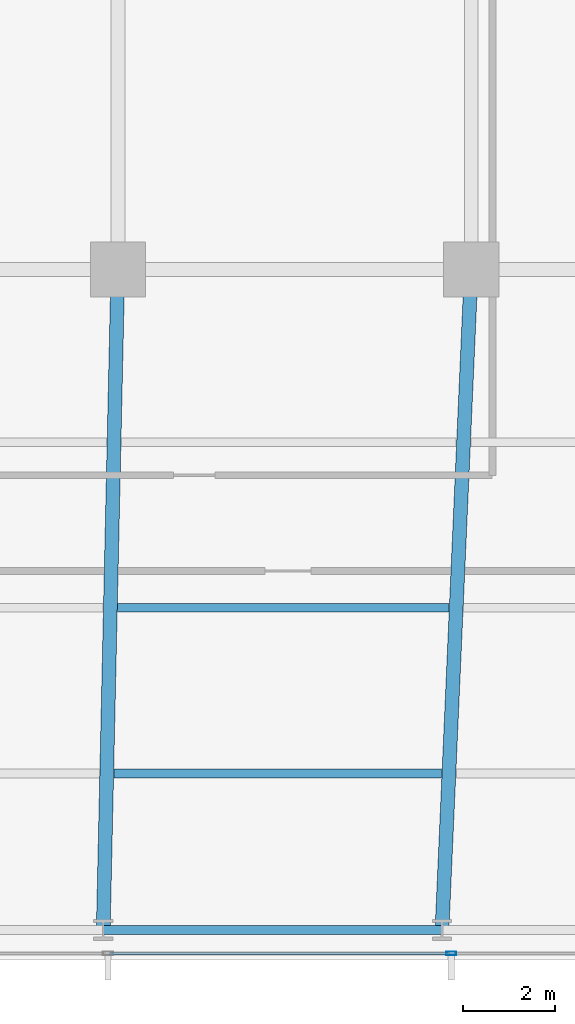
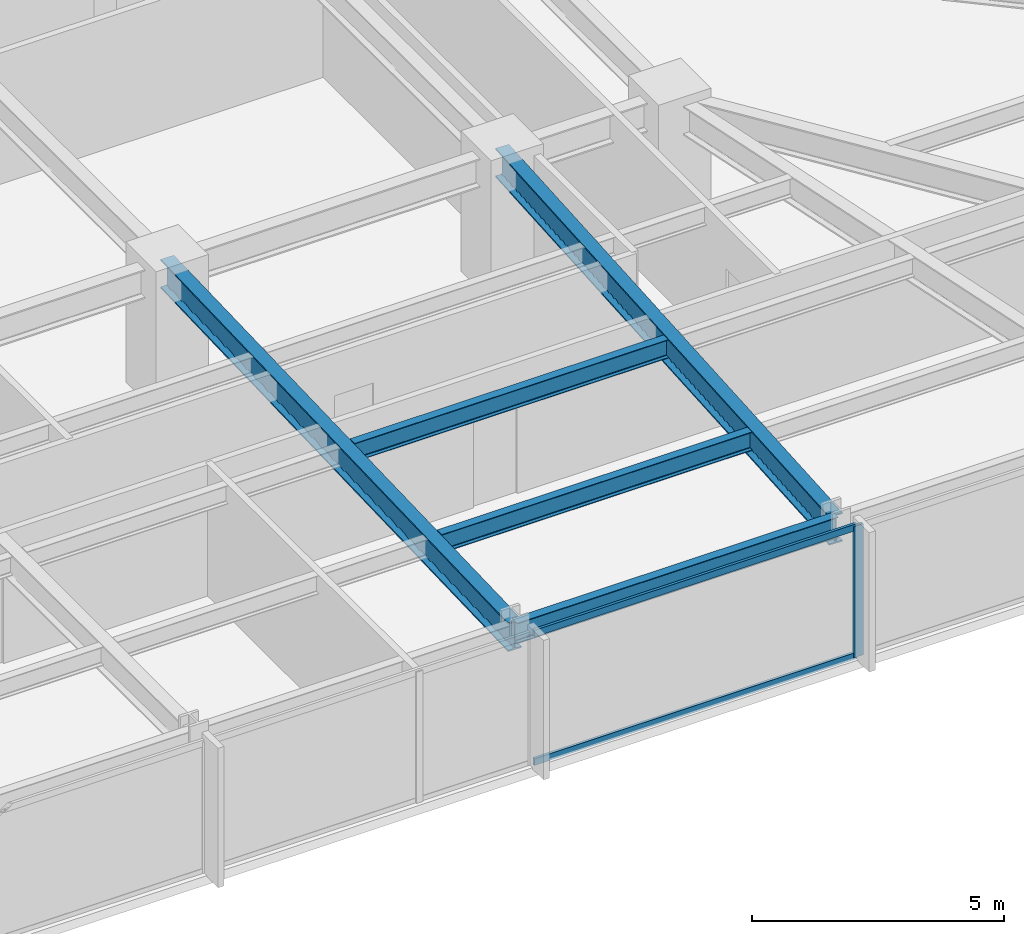
# One storey, part 12 of 32: 5 beams, 3 members, 1 element without a shape of its own.
"""IFC4 building model written with IfcOpenShell, lengths in metres."""

from ifc_helpers import new_model, si_unit, direction, frame, origin, origin_2d, place, context, subcontext, project, spatial, hollow_rectangle, i_section, extrude, material, material_profile, profile_set, type_object, element, aggregate, save


model = new_model("IFC4")

# Units and contexts
model_context = context("Model", 3, precision=1e-05, world=origin(), true_north=direction((0.0, 1.0)))
body_context = subcontext(model_context, "Body", "Model", "MODEL_VIEW")
ifc_project = project(units=[si_unit("LENGTHUNIT", "METRE"), si_unit("AREAUNIT", "SQUARE_METRE"), si_unit("VOLUMEUNIT", "CUBIC_METRE"), si_unit("PLANEANGLEUNIT", "RADIAN"), si_unit("MASSUNIT", "GRAM", prefix="KILO")], contexts=[model_context])

# Site, building, storey
site_placement = place(None, origin())
site = spatial("IfcSite", under=ifc_project, at=site_placement, CompositionType="ELEMENT")
building_placement = place(site_placement, origin())
building = spatial("IfcBuilding", under=site, at=building_placement, Name="Yelkora Congress Tower", CompositionType="ELEMENT")
storey_placement = place(building_placement, frame((0.0, 0.0, 33.800048828125)))
storey = spatial("IfcBuildingStorey", under=building, at=storey_placement, Name="L07", CompositionType="ELEMENT", Elevation=33.800048828125)

# Beams
ifc_material_1 = material(Name="Steel S355J2", Category="steel")
ifc_material_profile_1 = material_profile(ifc_material_1, i_section(OverallWidth=0.300048828125, OverallDepth=0.699951171875, WebThickness=0.01708984375, FlangeThickness=0.031982421875, FilletRadius=0.027099609375, at=origin_2d()), Name="HEB 700")
ifc_profile_set_1 = profile_set([ifc_material_profile_1], Name="Steel S355J2")
beam_type_1 = type_object("IfcBeamType", Name="BM-GIRD-HEB700", PredefinedType="BEAM", material=ifc_profile_set_1)
beam_1_placement = place(storey_placement, frame((45.762451171875, 10.85009765625, 2.829833984375), z_axis=(0.022129088136, 0.999755121746, 0.0), x_axis=(-0.999755121746, 0.022129088136, 0.0)))
element("IfcBeam", 1, at=beam_1_placement, inside=storey, type_object=beam_type_1, Name="L07 Primary Frame Girder S06", PredefinedType="BEAM", context=body_context, shape_type="SweptSolid", body=[
    extrude(i_section(OverallWidth=0.300048828125, OverallDepth=0.699951171875, WebThickness=0.01708984375, FlangeThickness=0.031982421875, FilletRadius=0.027099609375, at=origin_2d()), origin(), (0.0, 0.0, 1.0), 14.353271484375),
])
beam_2_placement = place(storey_placement, frame((53.125, 10.85009765625, 2.829833984375), z_axis=(0.044208738849, 0.999022315771, 0.0), x_axis=(-0.999022315771, 0.044208738849, 0.0)))
element("IfcBeam", 2, at=beam_2_placement, inside=storey, type_object=beam_type_1, Name="L07 Primary Frame Girder S07", PredefinedType="BEAM", context=body_context, shape_type="SweptSolid", body=[
    extrude(i_section(OverallWidth=0.300048828125, OverallDepth=0.699951171875, WebThickness=0.01708984375, FlangeThickness=0.031982421875, FilletRadius=0.027099609375, at=origin_2d()), origin(), (0.0, 0.0, 1.0), 14.364013671875),
])
ifc_material_profile_2 = material_profile(ifc_material_1, i_section(OverallWidth=0.18994140625, OverallDepth=0.449951171875, WebThickness=0.009521484375, FlangeThickness=0.0146484375, FilletRadius=0.02099609375, at=origin_2d()), Name="IPE 450")
ifc_profile_set_2 = profile_set([ifc_material_profile_2], Name="Steel S355J2")
beam_type_2 = type_object("IfcBeamType", Name="BM-JOIST-IPE450", PredefinedType="JOIST", material=ifc_profile_set_2)
beam_3_placement = place(storey_placement, frame((45.997802734375, 14.25, 2.954833984375), z_axis=(1.0, 0.0, 0.0), x_axis=(0.0, 1.0, 0.0)))
element("IfcBeam", 3, at=beam_3_placement, inside=storey, type_object=beam_type_2, Name="L07 Composite Floor Joist 6", PredefinedType="JOIST", context=body_context, shape_type="SweptSolid", body=[
    extrude(i_section(OverallWidth=0.18994140625, OverallDepth=0.449951171875, WebThickness=0.009521484375, FlangeThickness=0.0146484375, FilletRadius=0.02099609375, at=origin_2d()), origin(), (0.0, 0.0, 1.0), 7.11767578125),
])
beam_4_placement = place(storey_placement, frame((46.077392578125, 17.85009765625, 2.954833984375), z_axis=(1.0, 0.0, 0.0), x_axis=(0.0, 1.0, 0.0)))
element("IfcBeam", 4, at=beam_4_placement, inside=storey, type_object=beam_type_2, Name="L07 Composite Floor Joist 14", PredefinedType="JOIST", context=body_context, shape_type="SweptSolid", body=[
    extrude(i_section(OverallWidth=0.18994140625, OverallDepth=0.449951171875, WebThickness=0.009521484375, FlangeThickness=0.0146484375, FilletRadius=0.02099609375, at=origin_2d()), origin(), (0.0, 0.0, 1.0), 7.197509765625),
])
ifc_material_profile_3 = material_profile(ifc_material_1, i_section(OverallWidth=0.199951171875, OverallDepth=0.5, WebThickness=0.01025390625, FlangeThickness=0.01611328125, FilletRadius=0.02099609375, at=origin_2d()), Name="IPE 500")
ifc_profile_set_3 = profile_set([ifc_material_profile_3], Name="Steel S355J2")
beam_type_3 = type_object("IfcBeamType", Name="BM-SPAN-IPE500", PredefinedType="SPANDREL", material=ifc_profile_set_3)
beam_5_placement = place(storey_placement, frame((45.762451171875, 10.85009765625, 2.929931640625), z_axis=(1.0, 0.0, 0.0), x_axis=(0.0, 1.0, 0.0)))
element("IfcBeam", 5, at=beam_5_placement, inside=storey, type_object=beam_type_3, Name="L07 Perimeter Beam 7", PredefinedType="SPANDREL", context=body_context, shape_type="SweptSolid", body=[
    extrude(i_section(OverallWidth=0.199951171875, OverallDepth=0.5, WebThickness=0.01025390625, FlangeThickness=0.01611328125, FilletRadius=0.02099609375, at=origin_2d()), origin(), (0.0, 0.0, 1.0), 7.362548828125),
])

# Curtain wall, members
ifc_material_2 = material(Name="Anodised aluminium and insulated glass", Category="aluminium")
curtain_wall_type = type_object("IfcCurtainWallType", Name="CW-SYS-B1", PredefinedType="NOTDEFINED", material=ifc_material_2)
curtain_wall_placement = place(storey_placement, origin())
curtain_wall = element("IfcCurtainWall", 6, at=curtain_wall_placement, inside=storey, type_object=curtain_wall_type, Name="L07 Unitised Curtain Wall 20", PredefinedType="NOTDEFINED")
ifc_material_3 = material(Name="Anodised aluminium 6063-T6", Category="aluminium")
ifc_material_profile_4 = material_profile(ifc_material_3, hollow_rectangle(XDim=0.074951171875, YDim=0.219970703125, WallThickness=0.0048828125, at=origin_2d()), Name="ALU 75x220x5")
ifc_profile_set_4 = profile_set([ifc_material_profile_4], Name="Anodised aluminium 6063-T6")
member_type_1 = type_object("IfcMemberType", Name="MEM-ML-B1", PredefinedType="MULLION", material=ifc_profile_set_4)
member_1_placement = place(storey_placement, frame((53.330078125, 10.340087890625, 0.0), z_axis=(0.0, 0.0, 1.0), x_axis=(0.0, -1.0, 0.0)))
member_1 = element("IfcMember", 7, at=member_1_placement, type_object=member_type_1, Name="CW-B1 mullion 3", PredefinedType="MULLION", context=body_context, shape_type="SweptSolid", body=[
    extrude(hollow_rectangle(XDim=0.074951171875, YDim=0.219970703125, WallThickness=0.0048828125, at=origin_2d()), origin(), (0.0, 0.0, 1.0), 3.179931640625),
])
ifc_material_profile_5 = material_profile(ifc_material_3, hollow_rectangle(XDim=0.06494140625, YDim=0.159912109375, WallThickness=0.00390625, at=origin_2d()), Name="ALU 65x160x4")
ifc_profile_set_5 = profile_set([ifc_material_profile_5], Name="Anodised aluminium 6063-T6")
member_type_2 = type_object("IfcMemberType", Name="MEM-TR-B1", PredefinedType="USERDEFINED", material=ifc_profile_set_5)
member_2_placement = place(storey_placement, frame((53.29248046875, 10.340087890625, 0.032470703125), z_axis=(-1.0, 0.0, 0.0), x_axis=(0.0, -1.0, 0.0)))
member_2 = element("IfcMember", 8, at=member_2_placement, type_object=member_type_2, Name="CW-B1 transom 3.1", ObjectType="TRANSOM", PredefinedType="USERDEFINED", context=body_context, shape_type="SweptSolid", body=[
    extrude(hollow_rectangle(XDim=0.06494140625, YDim=0.159912109375, WallThickness=0.00390625, at=origin_2d()), origin(), (0.0, 0.0, 1.0), 7.389892578125),
])
member_3_placement = place(storey_placement, frame((53.29248046875, 10.340087890625, 3.1474609375), z_axis=(-1.0, 0.0, 0.0), x_axis=(0.0, -1.0, 0.0)))
member_3 = element("IfcMember", 9, at=member_3_placement, type_object=member_type_2, Name="CW-B1 transom 3.2", ObjectType="TRANSOM", PredefinedType="USERDEFINED", context=body_context, shape_type="SweptSolid", body=[
    extrude(hollow_rectangle(XDim=0.06494140625, YDim=0.159912109375, WallThickness=0.00390625, at=origin_2d()), origin(), (0.0, 0.0, 1.0), 7.389892578125),
])
aggregate(curtain_wall, [member_1, member_2, member_3])

save(model, "model.ifc")
